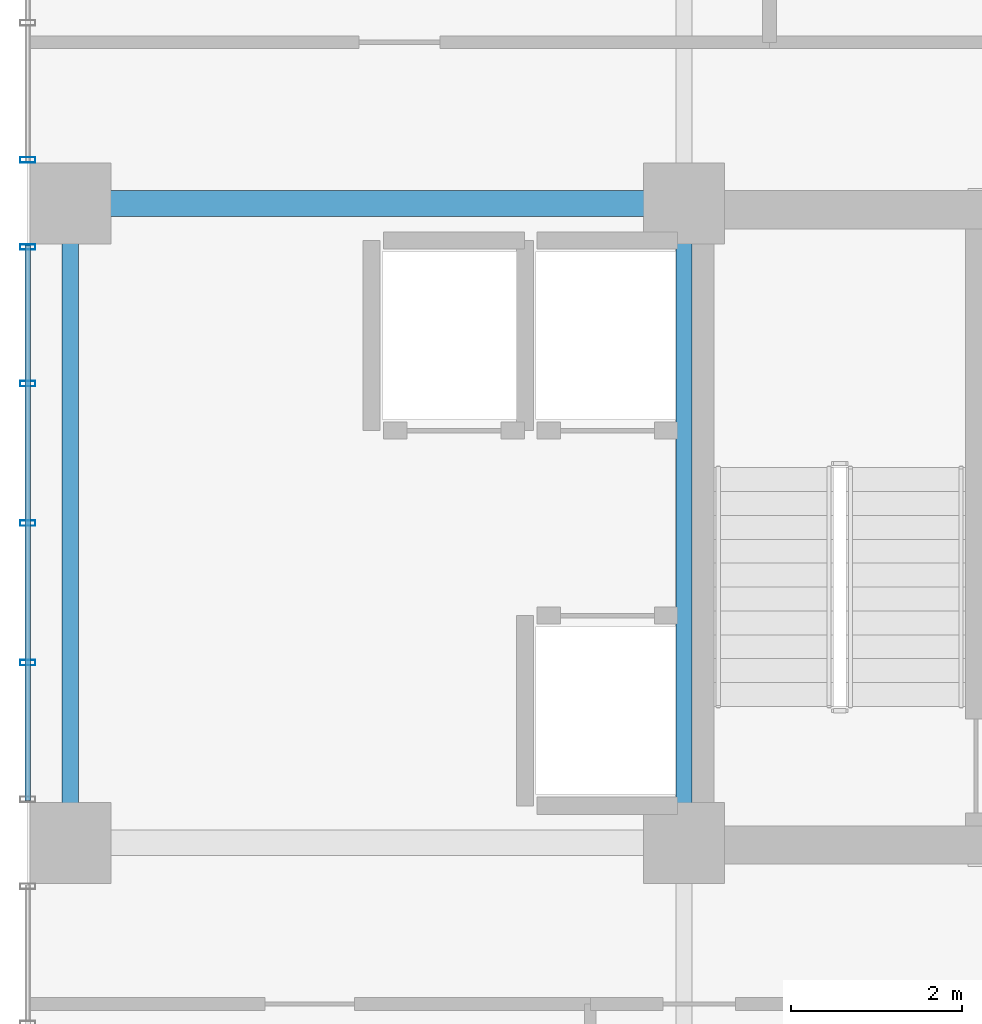
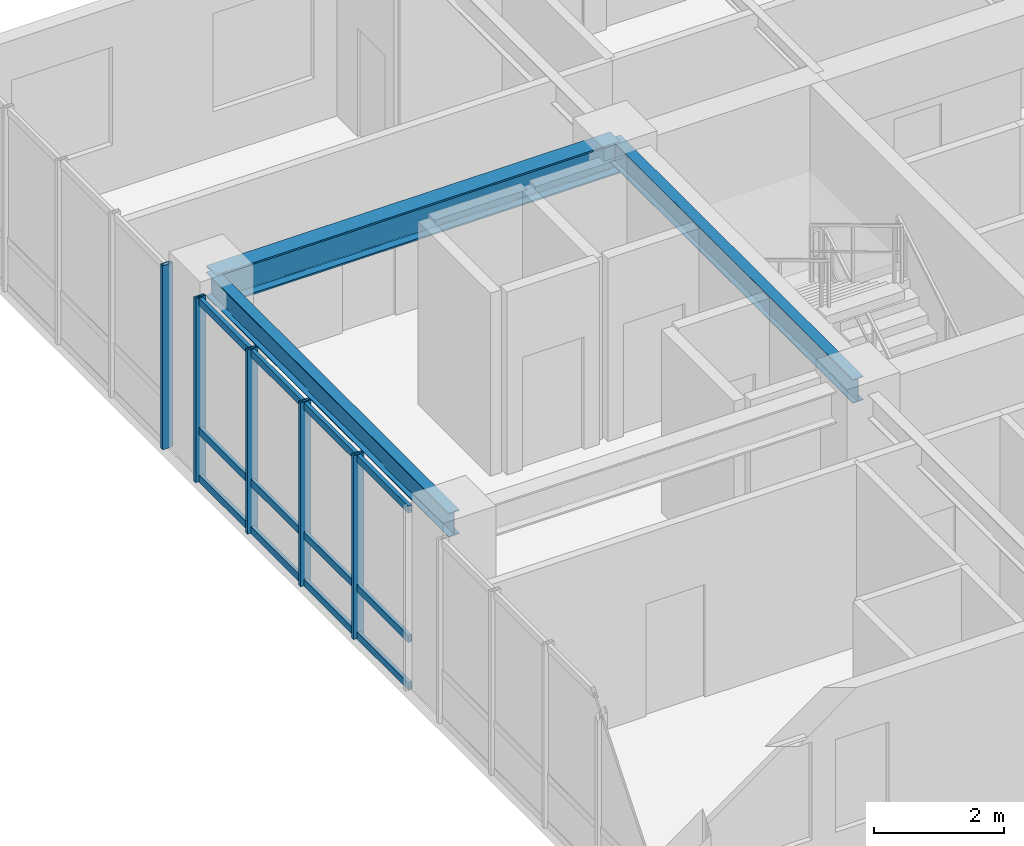
# One storey, part 8 of 20: 8 members, 3 beams, 2 elements without a shape of their own.
"""IFC4 building model written with IfcOpenShell, lengths in metres."""

import ifcopenshell
import ifcopenshell.guid

model = None  # the IFC model being written
_history = None  # IfcOwnerHistory: only IFC2X3 demands one
_inside = {}  # id of a spatial element -> (the spatial element, [elements in it])
_under = {}  # id of a project, library or spatial element -> (it, [spatial elements below it])
_declared = {}  # id of a project -> (the project, [libraries it declares])
_typed = {}  # id of a type object -> (the type object, [elements of that type])
_made_of = {}  # id of a material, layer set ... -> (it, [elements and type objects made of it])


def new_model(schema):
    """Start an empty IFC model of exactly this schema.

    Asked for "IFC4X3", IfcOpenShell would pick the latest addendum, in which some entities
    have other attributes; the version numbers below select the first issue.
    IFC2X3 requires an IfcOwnerHistory on every rooted entity: one is made here for all.
    """
    global model, _history
    if schema == "IFC4X3":
        model = ifcopenshell.file(schema_version=(4, 3, 0, 0))
    else:
        model = ifcopenshell.file(schema=schema)
    _inside.clear()
    _under.clear()
    _declared.clear()
    _typed.clear()
    _made_of.clear()
    _history = None
    if model.schema == "IFC2X3":
        org = make("IfcOrganization", Name="unknown")
        user = make(
            "IfcPersonAndOrganization",
            ThePerson=make("IfcPerson", FamilyName="unknown"),
            TheOrganization=org,
        )
        app = make(
            "IfcApplication",
            ApplicationDeveloper=org,
            Version="unknown",
            ApplicationFullName="unknown",
            ApplicationIdentifier="unknown",
        )
        _history = make(
            "IfcOwnerHistory",
            OwningUser=user,
            OwningApplication=app,
            ChangeAction="ADDED",
            CreationDate=0,
        )
    return model


def make(cls, **values):
    """One entity of the class cls with the attributes given. An attribute that is None is left unset."""
    return model.create_entity(
        cls, **{name: value for name, value in values.items() if value is not None}
    )


def rooted(cls, **values):
    """An entity with a GlobalId (a new one), such as an element, a storey or a relation."""
    return make(cls, GlobalId=ifcopenshell.guid.new(), OwnerHistory=_history, **values)


def si_unit(unit_type, name, prefix=None):
    """IfcSIUnit, for example si_unit("LENGTHUNIT", "METRE", prefix="MILLI")."""
    return make("IfcSIUnit", UnitType=unit_type, Prefix=prefix, Name=name)


def assignment(units):
    """IfcUnitAssignment: the units of a project."""
    return None if units is None else make("IfcUnitAssignment", Units=units)


def point(xyz):
    """IfcCartesianPoint."""
    return None if xyz is None else make("IfcCartesianPoint", Coordinates=xyz)


def direction(xyz):
    """IfcDirection."""
    return None if xyz is None else make("IfcDirection", DirectionRatios=xyz)


def frame(location, z_axis=None, x_axis=None):
    """IfcAxis2Placement3D, a coordinate frame: its origin and axes. An axis left out is left unset."""
    return make(
        "IfcAxis2Placement3D",
        Location=point(location),
        Axis=direction(z_axis),
        RefDirection=direction(x_axis),
    )


def frame_2d(location, x_axis=None):
    """IfcAxis2Placement2D, a coordinate frame in the plane: its origin and x axis."""
    return make(
        "IfcAxis2Placement2D", Location=point(location), RefDirection=direction(x_axis)
    )


def origin():
    """The frame at (0, 0, 0) with its axes left unset."""
    return frame((0.0, 0.0, 0.0))


def origin_2d():
    """The frame at (0, 0) in the plane with its x axis left unset."""
    return frame_2d((0.0, 0.0))


def place(relative_to, where):
    """IfcLocalPlacement: puts the frame where relative to a parent placement (None: the world)."""
    return make(
        "IfcLocalPlacement", PlacementRelTo=relative_to, RelativePlacement=where
    )


def context(
    kind, dimensions, precision=None, world=None, true_north=None, identifier=None
):
    """IfcGeometricRepresentationContext, for example the 3D "Model" context."""
    return make(
        "IfcGeometricRepresentationContext",
        ContextIdentifier=identifier,
        ContextType=kind,
        CoordinateSpaceDimension=dimensions,
        Precision=precision,
        WorldCoordinateSystem=world,
        TrueNorth=true_north,
    )


def subcontext(parent, identifier, kind, view, scale=None):
    """IfcGeometricRepresentationSubContext, for example "Body" below "Model"."""
    return make(
        "IfcGeometricRepresentationSubContext",
        ContextIdentifier=identifier,
        ContextType=kind,
        ParentContext=parent,
        TargetScale=scale,
        TargetView=view,
    )


def project(units=None, contexts=None):
    """IfcProject with its units and contexts."""
    return rooted(
        "IfcProject",
        Name="project",
        RepresentationContexts=contexts,
        UnitsInContext=assignment(units),
    )


def spatial(cls, under=None, at=None, **own):
    """A site, building, storey or space (cls), placed at a placement, below another one or the project."""
    s = rooted(cls, ObjectPlacement=at, **own)
    if under is not None:
        _under.setdefault(under.id(), (under, []))[1].append(s)
    return s


def profile(cls, at=None, kind="AREA", **sizes):
    """A parametric profile (cls). Its sizes go by their IFC names, for example OverallWidth=200.0."""
    return make(cls, ProfileType=kind, Position=at, **sizes)


def hollow_rectangle(**sizes):
    """IfcRectangleHollowProfileDef."""
    return profile("IfcRectangleHollowProfileDef", **sizes)


def i_section(**sizes):
    """IfcIShapeProfileDef."""
    return profile("IfcIShapeProfileDef", **sizes)


def extrude(swept, where, along, depth):
    """IfcExtrudedAreaSolid: the profile swept, set in the frame where, extruded along a direction by depth."""
    return make(
        "IfcExtrudedAreaSolid",
        SweptArea=swept,
        Position=where,
        ExtrudedDirection=direction(along),
        Depth=depth,
    )


def shape(context_of_items, identifier, shape_type, items):
    """IfcShapeRepresentation: the items that make up one representation, for example the "Body"."""
    return make(
        "IfcShapeRepresentation",
        ContextOfItems=context_of_items,
        RepresentationIdentifier=identifier,
        RepresentationType=shape_type,
        Items=items,
    )


def source(mapping_origin, context_of_items, identifier, shape_type, items):
    """IfcRepresentationMap: a shape defined once, which mapped items show again and again."""
    return make(
        "IfcRepresentationMap",
        MappingOrigin=mapping_origin,
        MappedRepresentation=shape(context_of_items, identifier, shape_type, items),
    )


def transform(
    local_origin,
    x_axis=None,
    y_axis=None,
    z_axis=None,
    scale=None,
    scale2=None,
    scale3=None,
    uniform=True,
):
    """IfcCartesianTransformationOperator3D, or its non-uniform kind. x_axis, y_axis, z_axis: its Axis1, 2, 3."""
    if uniform:
        return make(
            "IfcCartesianTransformationOperator3D",
            Axis1=direction(x_axis),
            Axis2=direction(y_axis),
            LocalOrigin=point(local_origin),
            Scale=scale,
            Axis3=direction(z_axis),
        )
    return make(
        "IfcCartesianTransformationOperator3DnonUniform",
        Axis1=direction(x_axis),
        Axis2=direction(y_axis),
        LocalOrigin=point(local_origin),
        Scale=scale,
        Axis3=direction(z_axis),
        Scale2=scale2,
        Scale3=scale3,
    )


def mapped(mapping_source, mapping_target):
    """IfcMappedItem: shows the shape of a source again, moved by a transform."""
    return make(
        "IfcMappedItem", MappingSource=mapping_source, MappingTarget=mapping_target
    )


def material(Name=None, Category=None):
    """IfcMaterial."""
    return make("IfcMaterial", Name=Name, Category=Category)


def layer(
    of_material, thickness, ventilated=None, Name=None, Category=None, Priority=None
):
    """IfcMaterialLayer: one layer of a wall or slab, of a material (None: an air gap)."""
    return make(
        "IfcMaterialLayer",
        Material=of_material,
        LayerThickness=thickness,
        IsVentilated=ventilated,
        Name=Name,
        Category=Category,
        Priority=Priority,
    )


def layer_set(layers, Name=None):
    """IfcMaterialLayerSet."""
    return make("IfcMaterialLayerSet", MaterialLayers=layers, LayerSetName=Name)


def material_profile(
    of_material, cross_section, Name=None, Category=None, Priority=None
):
    """IfcMaterialProfile: a cross section and its material."""
    return make(
        "IfcMaterialProfile",
        Name=Name,
        Material=of_material,
        Profile=cross_section,
        Priority=Priority,
        Category=Category,
    )


def profile_set(profiles, Name=None, composite=None):
    """IfcMaterialProfileSet."""
    return make(
        "IfcMaterialProfileSet",
        Name=Name,
        MaterialProfiles=profiles,
        CompositeProfile=composite,
    )


def made_of(thing, what):
    """Note that an element or type object is made of a material, layer set ...; save() writes the relation."""
    if what is not None:
        _made_of.setdefault(what.id(), (what, []))[1].append(thing)
    return thing


def type_object(cls, material=None, **own):
    """A type object (cls), such as IfcWallType, which elements share."""
    return made_of(rooted(cls, **own), material)


def element(
    cls,
    number,
    at=None,
    inside=None,
    cuts=None,
    type_object=None,
    material=None,
    context=None,
    identifier="Body",
    shape_type=None,
    held_by="IfcProductDefinitionShape",
    body=None,
    shapes=None,
    **own,
):
    """One element of the class cls, such as IfcWall. Its Tag is "e" and its number.

    at: its placement. inside: the storey or other place that contains it. cuts: it is an
    opening in that element (IfcRelVoidsElement). A single representation is given by context,
    identifier, shape_type and body (its items); several are given by shapes. held_by: the class
    of the entity that holds the representations. save() writes the other relations.
    """
    e = rooted(cls, Tag="e%d" % number, ObjectPlacement=at, **own)
    if body is not None:
        shapes = [shape(context, identifier, shape_type, body)]
    if shapes is not None:
        e.Representation = make(held_by, Representations=shapes)
    if inside is not None:
        _inside.setdefault(inside.id(), (inside, []))[1].append(e)
    if cuts is not None:
        rooted(
            "IfcRelVoidsElement", RelatingBuildingElement=cuts, RelatedOpeningElement=e
        )
    if type_object is not None:
        _typed.setdefault(type_object.id(), (type_object, []))[1].append(e)
    return made_of(e, material)


def aggregate(whole, parts):
    """IfcRelAggregates: a whole, such as a stair, and the parts it consists of."""
    return rooted("IfcRelAggregates", RelatingObject=whole, RelatedObjects=parts)


def save(model, path):
    """Write the relations noted so far, then the file.

    IfcRelAggregates (storeys below a building ...), IfcRelContainedInSpatialStructure (elements
    in a storey), IfcRelDefinesByType, IfcRelAssociatesMaterial and IfcRelDeclares: one each for
    every whole, place, type object, material and project.
    """
    for whole, parts in _under.values():
        aggregate(whole, parts)
    for where, things in _inside.values():
        rooted(
            "IfcRelContainedInSpatialStructure",
            RelatedElements=things,
            RelatingStructure=where,
        )
    for kind, things in _typed.values():
        rooted("IfcRelDefinesByType", RelatedObjects=things, RelatingType=kind)
    for what, things in _made_of.values():
        rooted("IfcRelAssociatesMaterial", RelatedObjects=things, RelatingMaterial=what)
    for by, libraries in _declared.values():
        rooted("IfcRelDeclares", RelatingContext=by, RelatedDefinitions=libraries)
    model.write(path)


model = new_model("IFC4")

# Units and contexts
model_context = context("Model", 3, precision=1e-05, world=origin(), true_north=direction((0.0, 1.0)))
body_context = subcontext(model_context, "Body", "Model", "MODEL_VIEW")
ifc_project = project(units=[si_unit("LENGTHUNIT", "METRE"), si_unit("AREAUNIT", "SQUARE_METRE"), si_unit("VOLUMEUNIT", "CUBIC_METRE"), si_unit("PLANEANGLEUNIT", "RADIAN"), si_unit("MASSUNIT", "GRAM", prefix="KILO")], contexts=[model_context])

# Site, building, storey
site_placement = place(None, origin())
site = spatial("IfcSite", under=ifc_project, at=site_placement, CompositionType="ELEMENT")
building_placement = place(site_placement, origin())
building = spatial("IfcBuilding", under=site, at=building_placement, Name="Kaliganga Portal Commons", CompositionType="ELEMENT")
storey_placement = place(building_placement, frame((0.0, 0.0, 201.800048828125)))
storey = spatial("IfcBuildingStorey", under=building, at=storey_placement, Name="L51", CompositionType="ELEMENT", Elevation=201.800048828125)

# Beams
ifc_material_1 = material(Name="Structural steel S355J2", Category="steel")
ifc_material_profile_1 = material_profile(ifc_material_1, i_section(OverallWidth=0.300048828125, OverallDepth=0.60009765625, WebThickness=0.015380859375, FlangeThickness=0.030029296875, FilletRadius=0.027099609375, at=origin_2d()), Name="HE 600 B")
ifc_profile_set_1 = profile_set([ifc_material_profile_1], Name="Structural steel S355J2 wide-flange")
beam_type_1 = type_object("IfcBeamType", Name="BM-GIRD-600", PredefinedType="USERDEFINED", material=ifc_profile_set_1)
shared_shape_1 = source(origin(), body_context, "Body", "SweptSolid", [
    extrude(i_section(OverallWidth=0.300048828125, OverallDepth=0.60009765625, WebThickness=0.015380859375, FlangeThickness=0.030029296875, FilletRadius=0.027099609375, at=origin_2d()), origin(), (0.0, 0.0, 1.0), 7.199951171875),
])
beam_placement = place(storey_placement, frame((7.199951171875, 36.14990234375, 3.169921875), z_axis=(1.0, 0.0, 0.0), x_axis=(0.0, 1.0, 0.0)))
element("IfcBeam", 1, at=beam_placement, inside=storey, type_object=beam_type_1, Name="BM G L51 WAH_N 1", ObjectType="GIRDER", PredefinedType="USERDEFINED", context=body_context, shape_type="MappedRepresentation", body=[
    mapped(shared_shape_1, transform((0.0, 0.0, 0.0), x_axis=(1.0, 0.0, 0.0), y_axis=(0.0, 1.0, 0.0), z_axis=(0.0, 0.0, 1.0), scale=1.0)),
])
ifc_material_profile_2 = material_profile(ifc_material_1, i_section(OverallWidth=0.18994140625, OverallDepth=0.449951171875, WebThickness=0.009521484375, FlangeThickness=0.0146484375, FilletRadius=0.02099609375, at=origin_2d()), Name="IPE 450")
ifc_profile_set_2 = profile_set([ifc_material_profile_2], Name="Structural steel S355J2 wide-flange")
beam_type_2 = type_object("IfcBeamType", Name="BM-FLR-450", PredefinedType="BEAM", material=ifc_profile_set_2)
shared_shape_2 = source(origin(), body_context, "Body", "SweptSolid", [
    extrude(i_section(OverallWidth=0.18994140625, OverallDepth=0.449951171875, WebThickness=0.009521484375, FlangeThickness=0.0146484375, FilletRadius=0.02099609375, at=origin_2d()), origin(), (0.0, 0.0, 1.0), 7.5),
])
for number, where, z_axis, x_axis, name in (
    (2, (7.199951171875, 28.64990234375, 3.244873046875), (0.0, 1.0, 0.0), (-1.0, 0.0, 0.0), "BM G L51 AW72"),
    (3, (14.39990234375, 28.64990234375, 3.244873046875), (0.0, 1.0, 0.0), (-1.0, 0.0, 0.0), "BM G L51 AM144"),
):
    element("IfcBeam", number, at=place(storey_placement, frame(where, z_axis=z_axis, x_axis=x_axis)), inside=storey, type_object=beam_type_2, Name=name, PredefinedType="BEAM", context=body_context, shape_type="MappedRepresentation", body=[
        mapped(shared_shape_2, transform((0.0, 0.0, 0.0), x_axis=(1.0, 0.0, 0.0), y_axis=(0.0, 1.0, 0.0), z_axis=(0.0, 0.0, 1.0), scale=1.0)),
    ])

# Curtain wall, member
ifc_material_2 = material(Name="Anodized Aluminium and Laminated Low-E Glass", Category="aluminium")
ifc_layer = layer(ifc_material_2, 0.199951171875)
ifc_layer_set = layer_set([ifc_layer], Name="Anodized Aluminium and Laminated Low-E Glass")
curtain_wall_type = type_object("IfcCurtainWallType", Name="CW-SYS-02", PredefinedType="NOTDEFINED", material=ifc_layer_set)
curtain_wall_1_placement = place(storey_placement, origin())
curtain_wall_1 = element("IfcCurtainWall", 4, at=curtain_wall_1_placement, inside=storey, type_object=curtain_wall_type, Name="CW 02 L51 P1E03S1", PredefinedType="NOTDEFINED")
ifc_material_3 = material(Name="Dark Bronze Anodized Aluminium", Category="aluminium")
ifc_material_profile_3 = material_profile(ifc_material_3, hollow_rectangle(XDim=0.06494140625, YDim=0.179931640625, WallThickness=0.00390625, at=origin_2d()), Name="ALU MULL 65x180x4")
ifc_profile_set_3 = profile_set([ifc_material_profile_3], Name="Dark Bronze Anodized Aluminium")
member_type_1 = type_object("IfcMemberType", Name="CW-MUL-180", PredefinedType="MULLION", material=ifc_profile_set_3)
shared_shape_3 = source(origin(), body_context, "Body", "SweptSolid", [
    extrude(hollow_rectangle(XDim=0.06494140625, YDim=0.179931640625, WallThickness=0.00390625, at=origin_2d()), origin(), (0.0, 0.0, 1.0), 3.469970703125),
])
member_1_placement = place(storey_placement, frame((6.699951171875, 36.660888671875, 0.0), z_axis=(0.0, 0.0, 1.0), x_axis=(0.0, -1.0, 0.0)))
member_1 = element("IfcMember", 5, at=member_1_placement, type_object=member_type_1, Name="CW:02:L51:P1E03S1 Mullion 04", PredefinedType="MULLION", context=body_context, shape_type="MappedRepresentation", body=[
    mapped(shared_shape_3, transform((0.0, 0.0, 0.0), x_axis=(1.0, 0.0, 0.0), y_axis=(0.0, 1.0, 0.0), z_axis=(0.0, 0.0, 1.0), scale=1.0)),
])
aggregate(curtain_wall_1, [member_1])

# Curtain wall, members
curtain_wall_2_placement = place(storey_placement, origin())
curtain_wall_2 = element("IfcCurtainWall", 6, at=curtain_wall_2_placement, inside=storey, type_object=curtain_wall_type, Name="CW 02 L51 P1E03S2", PredefinedType="NOTDEFINED")
member_2_placement = place(storey_placement, frame((6.699951171875, 35.638916015625, 0.0), z_axis=(0.0, 0.0, 1.0), x_axis=(0.0, -1.0, 0.0)))
member_2 = element("IfcMember", 7, at=member_2_placement, type_object=member_type_1, Name="CW:02:L51:P1E03S2 Mullion 00", PredefinedType="MULLION", context=body_context, shape_type="MappedRepresentation", body=[
    mapped(shared_shape_3, transform((0.0, 0.0, 0.0), x_axis=(1.0, 0.0, 0.0), y_axis=(0.0, 1.0, 0.0), z_axis=(0.0, 0.0, 1.0), scale=1.0)),
])
member_3_placement = place(storey_placement, frame((6.699951171875, 34.037109375, 0.0), z_axis=(0.0, 0.0, 1.0), x_axis=(0.0, -1.0, 0.0)))
member_3 = element("IfcMember", 8, at=member_3_placement, type_object=member_type_1, Name="CW:02:L51:P1E03S2 Mullion 01", PredefinedType="MULLION", context=body_context, shape_type="MappedRepresentation", body=[
    mapped(shared_shape_3, transform((0.0, 0.0, 0.0), x_axis=(1.0, 0.0, 0.0), y_axis=(0.0, 1.0, 0.0), z_axis=(0.0, 0.0, 1.0), scale=1.0)),
])
member_4_placement = place(storey_placement, frame((6.699951171875, 32.39990234375, 0.0), z_axis=(0.0, 0.0, 1.0), x_axis=(0.0, -1.0, 0.0)))
member_4 = element("IfcMember", 9, at=member_4_placement, type_object=member_type_1, Name="CW:02:L51:P1E03S2 Mullion 02", PredefinedType="MULLION", context=body_context, shape_type="MappedRepresentation", body=[
    mapped(shared_shape_3, transform((0.0, 0.0, 0.0), x_axis=(1.0, 0.0, 0.0), y_axis=(0.0, 1.0, 0.0), z_axis=(0.0, 0.0, 1.0), scale=1.0)),
])
member_5_placement = place(storey_placement, frame((6.699951171875, 30.762939453125, 0.0), z_axis=(0.0, 0.0, 1.0), x_axis=(0.0, -1.0, 0.0)))
member_5 = element("IfcMember", 10, at=member_5_placement, type_object=member_type_1, Name="CW:02:L51:P1E03S2 Mullion 03", PredefinedType="MULLION", context=body_context, shape_type="MappedRepresentation", body=[
    mapped(shared_shape_3, transform((0.0, 0.0, 0.0), x_axis=(1.0, 0.0, 0.0), y_axis=(0.0, 1.0, 0.0), z_axis=(0.0, 0.0, 1.0), scale=1.0)),
])
ifc_material_profile_4 = material_profile(ifc_material_3, hollow_rectangle(XDim=0.06494140625, YDim=0.135009765625, WallThickness=0.00341796875, at=origin_2d()), Name="ALU TRAN 65x135x3.5")
ifc_profile_set_4 = profile_set([ifc_material_profile_4], Name="Dark Bronze Anodized Aluminium")
member_type_2 = type_object("IfcMemberType", Name="CW-TRN-135", PredefinedType="USERDEFINED", material=ifc_profile_set_4)
shared_shape_4 = source(origin(), body_context, "Body", "SweptSolid", [
    extrude(hollow_rectangle(XDim=0.06494140625, YDim=0.135009765625, WallThickness=0.00341796875, at=origin_2d()), origin(), (0.0, 0.0, 1.0), 6.508056640625),
])
member_6_placement = place(storey_placement, frame((6.699951171875, 35.654052734375, 0.06005859375), z_axis=(0.0, -1.0, 0.0), x_axis=(1.0, 0.0, 0.0)))
member_6 = element("IfcMember", 11, at=member_6_placement, type_object=member_type_2, Name="CW:02:L51:P1E03S2 Transom 1", ObjectType="TRANSOM", PredefinedType="USERDEFINED", context=body_context, shape_type="MappedRepresentation", body=[
    mapped(shared_shape_4, transform((0.0, 0.0, 0.0), x_axis=(1.0, 0.0, 0.0), y_axis=(0.0, 1.0, 0.0), z_axis=(0.0, 0.0, 1.0), scale=1.0)),
])
member_7_placement = place(storey_placement, frame((6.699951171875, 35.654052734375, 0.949951171875), z_axis=(0.0, -1.0, 0.0), x_axis=(1.0, 0.0, 0.0)))
member_7 = element("IfcMember", 12, at=member_7_placement, type_object=member_type_2, Name="CW:02:L51:P1E03S2 Transom 2", ObjectType="TRANSOM", PredefinedType="USERDEFINED", context=body_context, shape_type="MappedRepresentation", body=[
    mapped(shared_shape_4, transform((0.0, 0.0, 0.0), x_axis=(1.0, 0.0, 0.0), y_axis=(0.0, 1.0, 0.0), z_axis=(0.0, 0.0, 1.0), scale=1.0)),
])
member_8_placement = place(storey_placement, frame((6.699951171875, 35.654052734375, 3.389892578125), z_axis=(0.0, -1.0, 0.0), x_axis=(1.0, 0.0, 0.0)))
member_8 = element("IfcMember", 13, at=member_8_placement, type_object=member_type_2, Name="CW:02:L51:P1E03S2 Transom 3", ObjectType="TRANSOM", PredefinedType="USERDEFINED", context=body_context, shape_type="MappedRepresentation", body=[
    mapped(shared_shape_4, transform((0.0, 0.0, 0.0), x_axis=(1.0, 0.0, 0.0), y_axis=(0.0, 1.0, 0.0), z_axis=(0.0, 0.0, 1.0), scale=1.0)),
])
aggregate(curtain_wall_2, [member_2, member_3, member_4, member_5, member_6, member_7, member_8])

save(model, "model.ifc")
